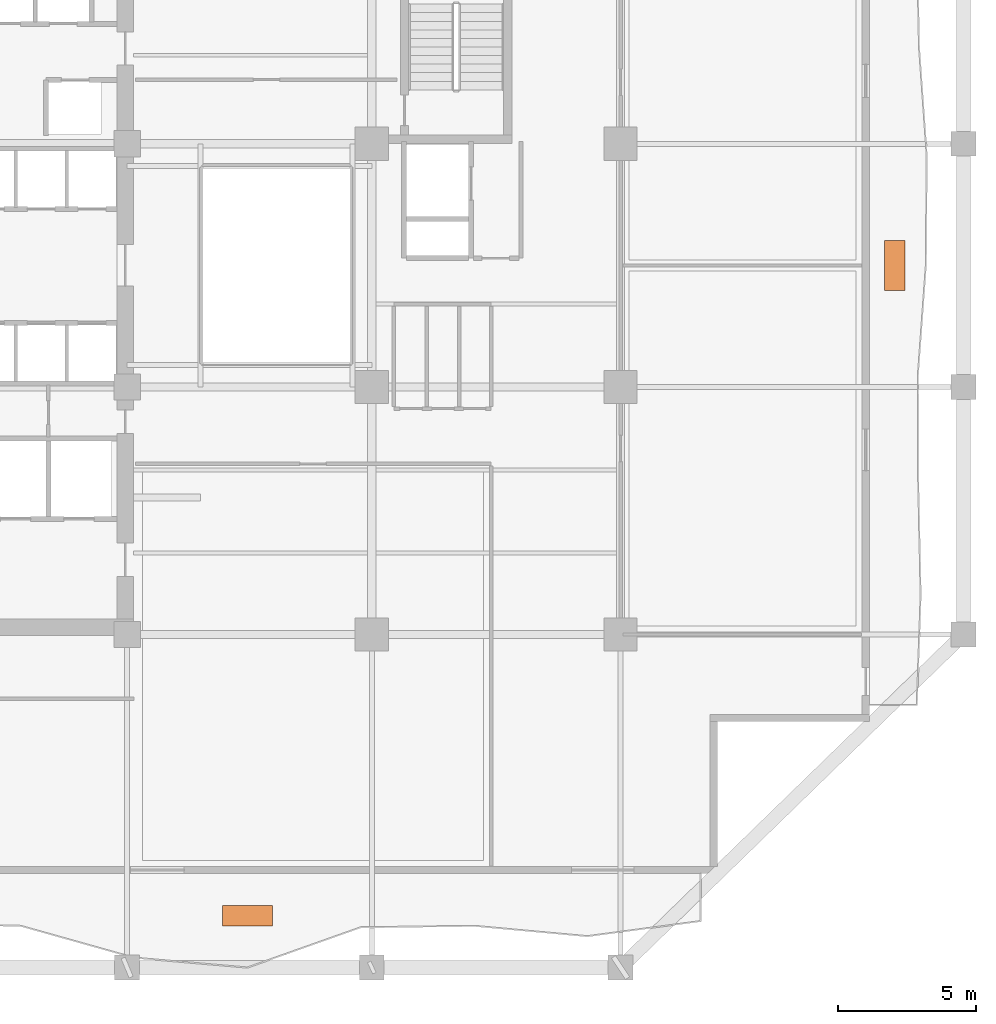
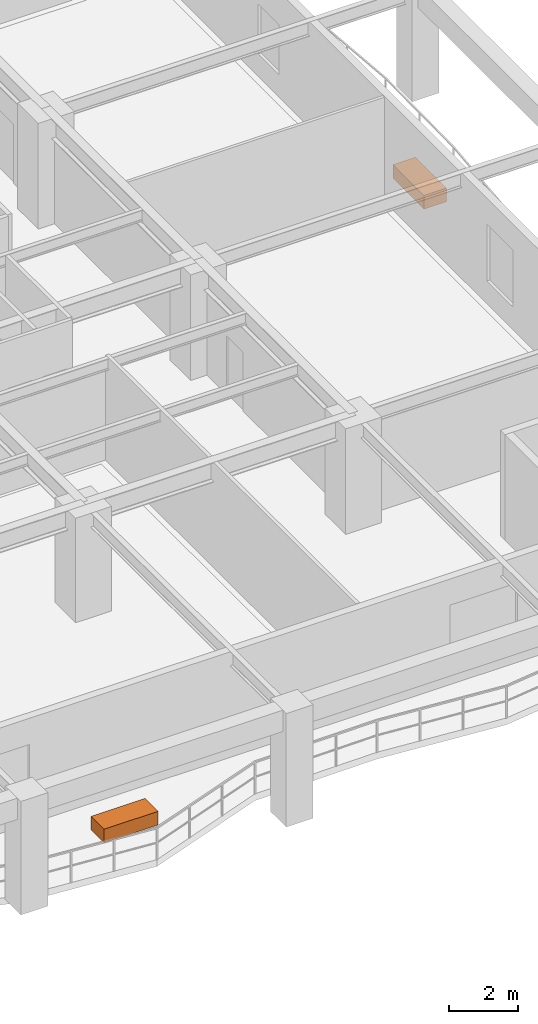
# One storey, part 13 of 13: 2 proxies.
"""IFC4 building model written with IfcOpenShell, lengths in metres."""

from ifc_helpers import new_model, si_unit, direction, frame, origin, origin_2d, place, context, subcontext, project, spatial, rectangle, extrude, material, type_object, element, save


model = new_model("IFC4")

# Units and contexts
model_context = context("Model", 3, precision=1e-05, world=origin(), true_north=direction((0.0, 1.0)))
body_context = subcontext(model_context, "Body", "Model", "MODEL_VIEW")
ifc_project = project(units=[si_unit("LENGTHUNIT", "METRE"), si_unit("AREAUNIT", "SQUARE_METRE"), si_unit("VOLUMEUNIT", "CUBIC_METRE"), si_unit("PLANEANGLEUNIT", "RADIAN"), si_unit("MASSUNIT", "GRAM", prefix="KILO")], contexts=[model_context])

# Site, building, storey
site_placement = place(None, origin())
site = spatial("IfcSite", under=ifc_project, at=site_placement, CompositionType="ELEMENT")
building_placement = place(site_placement, origin())
building = spatial("IfcBuilding", under=site, at=building_placement, Name="Kundavana Baori Tower", CompositionType="ELEMENT")
storey_placement = place(building_placement, frame((0.0, 0.0, 34.0)))
storey = spatial("IfcBuildingStorey", under=building, at=storey_placement, Name="L07", CompositionType="ELEMENT", Elevation=34.0)

# Proxies
ifc_material = material(Name="Red-Buff Dholpur Sandstone Cladding on Concrete C40/50", Category="masonry")
building_element_proxy_type = type_object("IfcBuildingElementProxyType", Name="PRX-PLANTER-1800", PredefinedType="USERDEFINED", material=ifc_material)
for number, where, z_axis, x_axis, name in (
    (1, (29.300048828125, 5.070068359375, 0.0), (0.0, 0.0, 1.0), (1.0, 0.0, 0.0), "L07 Dholpur Stone Structural Tree Planter S"),
    (2, (52.721923828125, 28.60009765625, 0.0), (0.0, 0.0, 1.0), (0.0, 1.0, 0.0), "L07 Dholpur Stone Structural Tree Planter E"),
):
    element("IfcBuildingElementProxy", number, at=place(storey_placement, frame(where, z_axis=z_axis, x_axis=x_axis)), inside=storey, type_object=building_element_proxy_type, Name=name, ObjectType="PLANTER", PredefinedType="USERDEFINED", context=body_context, shape_type="SweptSolid", body=[
        extrude(rectangle(XDim=1.800048828125, YDim=0.75, at=origin_2d()), origin(), (0.0, 0.0, 1.0), 0.47998046875),
    ])

save(model, "model.ifc")
